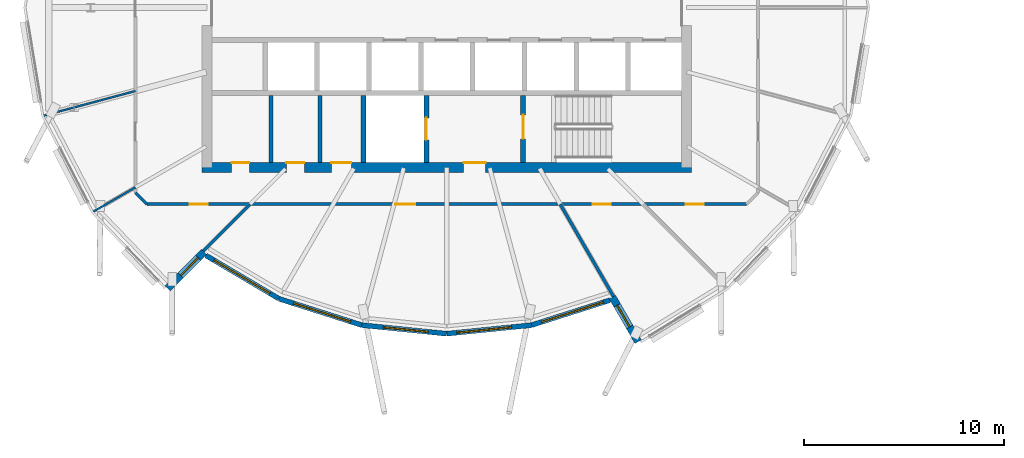
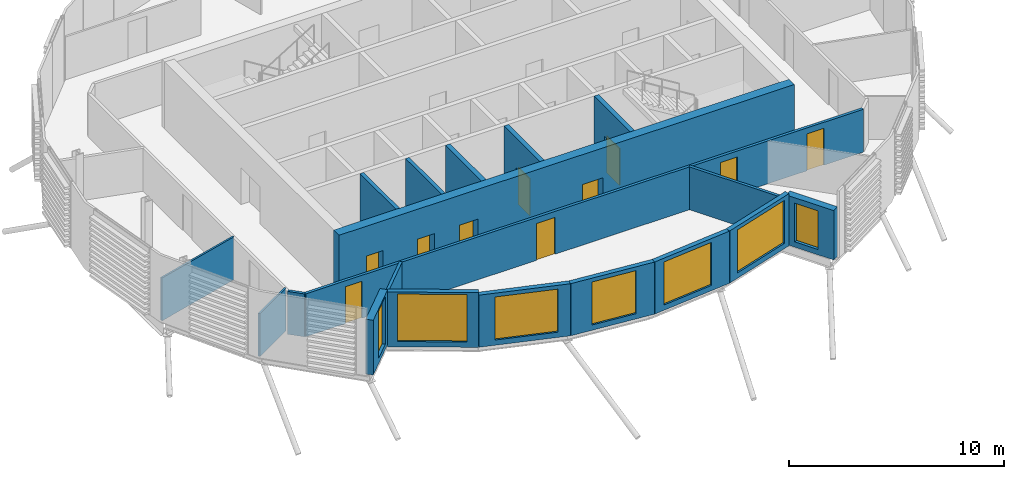
# One storey, part 17 of 38: 19 walls, 10 doors, 7 windows, 17 openings.
"""IFC4 building model written with IfcOpenShell, lengths in metres."""

from ifc_helpers import new_model, si_unit, direction, frame, frame_2d, origin, place, context, subcontext, project, spatial, rectangle, extrude, material, layer, layer_set, type_object, element, fill, save


model = new_model("IFC4")

# Units and contexts
model_context = context("Model", 3, precision=1e-05, world=origin(), true_north=direction((0.0, 1.0)))
body_context = subcontext(model_context, "Body", "Model", "MODEL_VIEW")
ifc_project = project(units=[si_unit("LENGTHUNIT", "METRE"), si_unit("AREAUNIT", "SQUARE_METRE"), si_unit("VOLUMEUNIT", "CUBIC_METRE"), si_unit("PLANEANGLEUNIT", "RADIAN"), si_unit("MASSUNIT", "GRAM", prefix="KILO")], contexts=[model_context])

# Site, building, storey
site_placement = place(None, origin())
site = spatial("IfcSite", under=ifc_project, at=site_placement, CompositionType="ELEMENT")
building_placement = place(site_placement, origin())
building = spatial("IfcBuilding", under=site, at=building_placement, Name="Rimbun Link Towers", CompositionType="ELEMENT")
storey_placement = place(building_placement, frame((0.0, 0.0, 218.10009765625)))
storey = spatial("IfcBuildingStorey", under=building, at=storey_placement, Name="L53", CompositionType="ELEMENT", Elevation=218.10009765625)

# Wall, opening, window
ifc_material_1 = material(Name="Dark enamelled glass spandrel on insulated aluminium backpan", Category="aluminium")
ifc_layer_1 = layer(ifc_material_1, 0.25)
ifc_layer_set_1 = layer_set([ifc_layer_1], Name="CS dark enamelled spandrel wall 250")
wall_type_1 = type_object("IfcWallType", Name="CS dark enamelled spandrel wall 250", PredefinedType="STANDARD", material=ifc_layer_set_1)
wall_1_placement = place(storey_placement, frame((-40.151123046875, -14.576904296875, 0.0), z_axis=(0.0, 0.0, 1.0), x_axis=(-0.860318595316, 0.509756720951, 0.0)))
wall_1 = element("IfcWall", 1, at=wall_1_placement, inside=storey, type_object=wall_type_1, Name="Crease spandrel wall", PredefinedType="STANDARD", context=body_context, shape_type="SweptSolid", body=[
    extrude(rectangle(XDim=4.24951171875, YDim=0.25, at=frame_2d((2.124755859375, 0.0))), origin(), (0.0, 0.0, 1.0), 3.116943359375),
])
opening_1_placement = place(wall_1_placement, frame((0.528564453125, 0.0, 0.300048828125)))
opening_1 = element("IfcOpeningElement", 2, at=opening_1_placement, cuts=wall_1, Name="Opening WR32H270", PredefinedType="OPENING", context=body_context, shape_type="SweptSolid", body=[
    extrude(rectangle(XDim=3.25, YDim=2.699951171875, at=frame_2d((1.625, 1.35009765625))), frame((0.0, 0.135009765625, 0.0), z_axis=(0.0, -1.0, 0.0), x_axis=(1.0, 0.0, 0.0)), (0.0, 0.0, 1.0), 0.27001953125),
])
ifc_material_2 = material(Name="Aluminium framed fixed window, dark tinted low-e glass", Category="aluminium")
window_type_1 = type_object("IfcWindowType", Name="WR ribbon window 3250X2700", PartitioningType="SINGLE_PANEL", PredefinedType="WINDOW", material=ifc_material_2)
window_1_placement = place(opening_1_placement, origin())
window_1 = element("IfcWindow", 3, at=window_1_placement, inside=storey, type_object=window_type_1, Name="Crease ribbon window", OverallHeight=2.699951171875, OverallWidth=3.25, PartitioningType="SINGLE_PANEL", PredefinedType="WINDOW", context=body_context, shape_type="SweptSolid", body=[
    extrude(rectangle(XDim=3.25, YDim=2.699951171875, at=frame_2d((1.625, 1.35009765625))), frame((0.0, 0.030029296875, 0.0), z_axis=(0.0, -1.0, 0.0), x_axis=(1.0, 0.0, 0.0)), (0.0, 0.0, 1.0), 0.06005859375),
])
fill(opening_1, window_1)

wall_2_placement = place(storey_placement, frame((-36.002685546875, -15.8994140625, 0.0), z_axis=(0.0, 0.0, 1.0), x_axis=(-0.952756261538, 0.303735915063, 0.0)))
wall_2 = element("IfcWall", 4, at=wall_2_placement, inside=storey, type_object=wall_type_1, Name="Crease spandrel wall", PredefinedType="STANDARD", context=body_context, shape_type="SweptSolid", body=[
    extrude(rectangle(XDim=4.354248046875, YDim=0.25, at=frame_2d((2.17724609375, 0.0))), origin(), (0.0, 0.0, 1.0), 2.966552734375),
])
opening_2_placement = place(wall_2_placement, frame((0.591064453125, 0.0, 0.300048828125)))
opening_2 = element("IfcOpeningElement", 5, at=opening_2_placement, cuts=wall_2, Name="Opening WR30H245", PredefinedType="OPENING", context=body_context, shape_type="SweptSolid", body=[
    extrude(rectangle(XDim=3.0, YDim=2.449951171875, at=frame_2d((1.5, 1.22509765625))), frame((0.0, 0.135009765625, 0.0), z_axis=(0.0, -1.0, 0.0), x_axis=(1.0, 0.0, 0.0)), (0.0, 0.0, 1.0), 0.27001953125),
])
ifc_material_3 = material(Name="Aluminium framed fixed window, dark tinted low-e glass", Category="aluminium")
window_type_2 = type_object("IfcWindowType", Name="WR ribbon window 3000X2450", PartitioningType="SINGLE_PANEL", PredefinedType="WINDOW", material=ifc_material_3)
window_2_placement = place(opening_2_placement, origin())
window_2 = element("IfcWindow", 6, at=window_2_placement, inside=storey, type_object=window_type_2, Name="Crease ribbon window", OverallHeight=2.449951171875, OverallWidth=3.0, PartitioningType="SINGLE_PANEL", PredefinedType="WINDOW", context=body_context, shape_type="SweptSolid", body=[
    extrude(rectangle(XDim=3.0, YDim=2.449951171875, at=frame_2d((1.5, 1.22509765625))), frame((0.0, 0.030029296875, 0.0), z_axis=(0.0, -1.0, 0.0), x_axis=(1.0, 0.0, 0.0)), (0.0, 0.0, 1.0), 0.06005859375),
])
fill(opening_2, window_2)

wall_3_placement = place(storey_placement, frame((-31.75, -16.329345703125, 0.0), z_axis=(0.0, 0.0, 1.0), x_axis=(-0.994928589789, 0.100583801976, 0.0)))
wall_3 = element("IfcWall", 7, at=wall_3_placement, inside=storey, type_object=wall_type_1, Name="Crease spandrel wall", PredefinedType="STANDARD", context=body_context, shape_type="SweptSolid", body=[
    extrude(rectangle(XDim=4.2744140625, YDim=0.25, at=frame_2d((2.13720703125, 0.0))), origin(), (0.0, 0.0, 1.0), 2.966552734375),
])
opening_3_placement = place(wall_3_placement, frame((0.939697265625, 0.0, 0.300048828125)))
opening_3 = element("IfcOpeningElement", 8, at=opening_3_placement, cuts=wall_3, Name="Opening WR22H245", PredefinedType="OPENING", context=body_context, shape_type="SweptSolid", body=[
    extrude(rectangle(XDim=2.25, YDim=2.449951171875, at=frame_2d((1.125, 1.22509765625))), frame((0.0, 0.135009765625, 0.0), z_axis=(0.0, -1.0, 0.0), x_axis=(1.0, 0.0, 0.0)), (0.0, 0.0, 1.0), 0.27001953125),
])
ifc_material_4 = material(Name="Aluminium framed fixed window, dark tinted low-e glass", Category="aluminium")
window_type_3 = type_object("IfcWindowType", Name="WR ribbon window 2250X2450", PartitioningType="SINGLE_PANEL", PredefinedType="WINDOW", material=ifc_material_4)
window_3_placement = place(opening_3_placement, origin())
window_3 = element("IfcWindow", 9, at=window_3_placement, inside=storey, type_object=window_type_3, Name="Crease ribbon window", OverallHeight=2.449951171875, OverallWidth=2.25, PartitioningType="SINGLE_PANEL", PredefinedType="WINDOW", context=body_context, shape_type="SweptSolid", body=[
    extrude(rectangle(XDim=2.25, YDim=2.449951171875, at=frame_2d((1.125, 1.22509765625))), frame((0.0, 0.030029296875, 0.0), z_axis=(0.0, -1.0, 0.0), x_axis=(1.0, 0.0, 0.0)), (0.0, 0.0, 1.0), 0.06005859375),
])
fill(opening_3, window_3)

wall_4_placement = place(storey_placement, frame((-27.497314453125, -15.8994140625, 0.0), z_axis=(0.0, 0.0, 1.0), x_axis=(-0.994928589789, -0.100583801976, 0.0)))
wall_4 = element("IfcWall", 10, at=wall_4_placement, inside=storey, type_object=wall_type_1, Name="Crease spandrel wall", PredefinedType="STANDARD", context=body_context, shape_type="SweptSolid", body=[
    extrude(rectangle(XDim=4.2744140625, YDim=0.25, at=frame_2d((2.13720703125, 0.0))), origin(), (0.0, 0.0, 1.0), 2.966552734375),
])
opening_4_placement = place(wall_4_placement, frame((1.013916015625, 0.0, 0.300048828125)))
opening_4 = element("IfcOpeningElement", 11, at=opening_4_placement, cuts=wall_4, Name="Opening WR28H245", PredefinedType="OPENING", context=body_context, shape_type="SweptSolid", body=[
    extrude(rectangle(XDim=2.75, YDim=2.449951171875, at=frame_2d((1.375, 1.22509765625))), frame((0.0, 0.135009765625, 0.0), z_axis=(0.0, -1.0, 0.0), x_axis=(1.0, 0.0, 0.0)), (0.0, 0.0, 1.0), 0.27001953125),
])
ifc_material_5 = material(Name="Aluminium framed fixed window, dark tinted low-e glass", Category="aluminium")
window_type_4 = type_object("IfcWindowType", Name="WR ribbon window 2750X2450", PartitioningType="SINGLE_PANEL", PredefinedType="WINDOW", material=ifc_material_5)
window_4_placement = place(opening_4_placement, origin())
window_4 = element("IfcWindow", 12, at=window_4_placement, inside=storey, type_object=window_type_4, Name="Crease ribbon window", OverallHeight=2.449951171875, OverallWidth=2.75, PartitioningType="SINGLE_PANEL", PredefinedType="WINDOW", context=body_context, shape_type="SweptSolid", body=[
    extrude(rectangle(XDim=2.75, YDim=2.449951171875, at=frame_2d((1.375, 1.22509765625))), frame((0.0, 0.030029296875, 0.0), z_axis=(0.0, -1.0, 0.0), x_axis=(1.0, 0.0, 0.0)), (0.0, 0.0, 1.0), 0.06005859375),
])
fill(opening_4, window_4)

wall_5_placement = place(storey_placement, frame((-23.580078125, -14.650634765625, 0.0), z_axis=(0.0, 0.0, 1.0), x_axis=(-0.95275796555, -0.303730569884, 0.0)))
wall_5 = element("IfcWall", 13, at=wall_5_placement, inside=storey, type_object=wall_type_1, Name="Crease spandrel wall", PredefinedType="STANDARD", context=body_context, shape_type="SweptSolid", body=[
    extrude(rectangle(XDim=4.111572265625, YDim=0.25, at=frame_2d((2.0556640625, 0.0))), origin(), (0.0, 0.0, 1.0), 2.966552734375),
])
opening_5_placement = place(wall_5_placement, frame((0.33154296875, 0.0, 0.300048828125)))
opening_5 = element("IfcOpeningElement", 14, at=opening_5_placement, cuts=wall_5, Name="Opening WR32H245", PredefinedType="OPENING", context=body_context, shape_type="SweptSolid", body=[
    extrude(rectangle(XDim=3.25, YDim=2.449951171875, at=frame_2d((1.625, 1.22509765625))), frame((0.0, 0.135009765625, 0.0), z_axis=(0.0, -1.0, 0.0), x_axis=(1.0, 0.0, 0.0)), (0.0, 0.0, 1.0), 0.27001953125),
])
ifc_material_6 = material(Name="Aluminium framed fixed window, dark tinted low-e glass", Category="aluminium")
window_type_5 = type_object("IfcWindowType", Name="WR ribbon window 3250X2450", PartitioningType="SINGLE_PANEL", PredefinedType="WINDOW", material=ifc_material_6)
window_5_placement = place(opening_5_placement, origin())
window_5 = element("IfcWindow", 15, at=window_5_placement, inside=storey, type_object=window_type_5, Name="Crease ribbon window", OverallHeight=2.449951171875, OverallWidth=3.25, PartitioningType="SINGLE_PANEL", PredefinedType="WINDOW", context=body_context, shape_type="SweptSolid", body=[
    extrude(rectangle(XDim=3.25, YDim=2.449951171875, at=frame_2d((1.625, 1.22509765625))), frame((0.0, 0.030029296875, 0.0), z_axis=(0.0, -1.0, 0.0), x_axis=(1.0, 0.0, 0.0)), (0.0, 0.0, 1.0), 0.06005859375),
])
fill(opening_5, window_5)

ifc_material_7 = material(Name="Dark enamelled glass spandrel on insulated aluminium backpan", Category="aluminium")
ifc_layer_2 = layer(ifc_material_7, 0.3701171875)
ifc_layer_set_2 = layer_set([ifc_layer_2], Name="CS dark enamelled spandrel wall 370")
wall_type_2 = type_object("IfcWallType", Name="CS dark enamelled spandrel wall 370", PredefinedType="STANDARD", material=ifc_layer_set_2)
wall_6_placement = place(storey_placement, frame((-43.891845703125, -12.23388671875, 0.0), z_axis=(0.0, 0.0, 1.0), x_axis=(-0.70715409354, -0.707059465667, 0.0)))
wall_6 = element("IfcWall", 16, at=wall_6_placement, inside=storey, type_object=wall_type_2, Name="Crease spandrel wall", PredefinedType="STANDARD", context=body_context, shape_type="SweptSolid", body=[
    extrude(rectangle(XDim=2.580078125, YDim=0.3701171875, at=frame_2d((1.2900390625, 0.0))), origin(), (0.0, 0.0, 1.0), 3.116943359375),
])
opening_6_placement = place(wall_6_placement, frame((0.422607421875, 0.0, 0.300048828125)))
opening_6 = element("IfcOpeningElement", 17, at=opening_6_placement, cuts=wall_6, Name="Opening WR12H270", PredefinedType="OPENING", context=body_context, shape_type="SweptSolid", body=[
    extrude(rectangle(XDim=1.25, YDim=2.699951171875, at=frame_2d((0.625, 1.35009765625))), frame((0.0, 0.195068359375, 0.0), z_axis=(0.0, -1.0, 0.0), x_axis=(1.0, 0.0, 0.0)), (0.0, 0.0, 1.0), 0.39013671875),
])
ifc_material_8 = material(Name="Aluminium framed fixed window, dark tinted low-e glass", Category="aluminium")
window_type_6 = type_object("IfcWindowType", Name="WR ribbon window 1250X2700", PartitioningType="SINGLE_PANEL", PredefinedType="WINDOW", material=ifc_material_8)
window_6_placement = place(opening_6_placement, origin())
window_6 = element("IfcWindow", 18, at=window_6_placement, inside=storey, type_object=window_type_6, Name="Crease ribbon window", OverallHeight=2.699951171875, OverallWidth=1.25, PartitioningType="SINGLE_PANEL", PredefinedType="WINDOW", context=body_context, shape_type="SweptSolid", body=[
    extrude(rectangle(XDim=1.25, YDim=2.699951171875, at=frame_2d((0.625, 1.35009765625))), frame((0.0, 0.030029296875, 0.0), z_axis=(0.0, -1.0, 0.0), x_axis=(1.0, 0.0, 0.0)), (0.0, 0.0, 1.0), 0.06005859375),
])
fill(opening_6, window_6)

wall_7_placement = place(storey_placement, frame((-22.16650390625, -16.728759765625, 0.0), z_axis=(0.0, 0.0, 1.0), x_axis=(-0.500047388771, 0.865998042136, 0.0)))
wall_7 = element("IfcWall", 19, at=wall_7_placement, inside=storey, type_object=wall_type_2, Name="Crease spandrel wall", PredefinedType="STANDARD", context=body_context, shape_type="SweptSolid", body=[
    extrude(rectangle(XDim=2.579833984375, YDim=0.3701171875, at=frame_2d((1.2900390625, 0.0))), origin(), (0.0, 0.0, 1.0), 2.80908203125),
])
opening_7_placement = place(wall_7_placement, frame((0.853271484375, 0.0, 0.300048828125)))
opening_7 = element("IfcOpeningElement", 20, at=opening_7_placement, cuts=wall_7, Name="Opening WR12H220", PredefinedType="OPENING", context=body_context, shape_type="SweptSolid", body=[
    extrude(rectangle(XDim=1.25, YDim=2.199951171875, at=frame_2d((0.625, 1.10009765625))), frame((0.0, 0.195068359375, 0.0), z_axis=(0.0, -1.0, 0.0), x_axis=(1.0, 0.0, 0.0)), (0.0, 0.0, 1.0), 0.39013671875),
])
ifc_material_9 = material(Name="Aluminium framed fixed window, dark tinted low-e glass", Category="aluminium")
window_type_7 = type_object("IfcWindowType", Name="WR ribbon window 1250X2200", PartitioningType="SINGLE_PANEL", PredefinedType="WINDOW", material=ifc_material_9)
window_7_placement = place(opening_7_placement, origin())
window_7 = element("IfcWindow", 21, at=window_7_placement, inside=storey, type_object=window_type_7, Name="Crease ribbon window", OverallHeight=2.199951171875, OverallWidth=1.25, PartitioningType="SINGLE_PANEL", PredefinedType="WINDOW", context=body_context, shape_type="SweptSolid", body=[
    extrude(rectangle(XDim=1.25, YDim=2.199951171875, at=frame_2d((0.625, 1.10009765625))), frame((0.0, 0.030029296875, 0.0), z_axis=(0.0, -1.0, 0.0), x_axis=(1.0, 0.0, 0.0)), (0.0, 0.0, 1.0), 0.06005859375),
])
fill(opening_7, window_7)

# Walls
ifc_material_10 = material(Name="Masonry blockwork", Category="masonry")
ifc_layer_3 = layer(ifc_material_10, 0.199951171875)
ifc_layer_set_3 = layer_set([ifc_layer_3], Name="Core partition 200")
wall_type_3 = type_object("IfcWallType", Name="Core partition 200", PredefinedType="PARTITIONING", material=ifc_layer_set_3)
for number, where, z_axis, x_axis, name in (
    (22, (-40.550048828125, -4.39990234375, 0.0), (0.0, 0.0, 1.0), (0.0, -1.0, 0.0), "L53 T1 core wall C1"),
    (23, (-38.10009765625, -4.39990234375, 0.0), (0.0, 0.0, 1.0), (0.0, -1.0, 0.0), "L53 T1 core wall C2"),
):
    element("IfcWall", number, at=place(storey_placement, frame(where, z_axis=z_axis, x_axis=x_axis)), inside=storey, type_object=wall_type_3, Name=name, PredefinedType="PARTITIONING", context=body_context, shape_type="SweptSolid", body=[
        extrude(rectangle(XDim=3.35009765625, YDim=0.199951171875, at=frame_2d((1.675048828125, 0.0))), origin(), (0.0, 0.0, 1.0), 3.7998046875),
    ])

# Wall, openings, doors
ifc_material_11 = material(Name="Concrete C60/75", Category="concrete")
ifc_layer_4 = layer(ifc_material_11, 0.5)
ifc_layer_set_4 = layer_set([ifc_layer_4], Name="Core shear wall 500")
wall_type_4 = type_object("IfcWallType", Name="Core shear wall 500", PredefinedType="SHEAR", material=ifc_layer_set_4)
wall_8_placement = place(storey_placement, frame((-44.0, -8.0, 0.0), z_axis=(0.0, 0.0, 1.0), x_axis=(1.0, 0.0, 0.0)))
wall_8 = element("IfcWall", 24, at=wall_8_placement, inside=storey, type_object=wall_type_4, Name="L53 T1 core wall S", PredefinedType="SHEAR", context=body_context, shape_type="SweptSolid", body=[
    extrude(rectangle(XDim=24.5, YDim=0.5, at=frame_2d((12.25, 0.0))), origin(), (0.0, 0.0, 1.0), 3.7998046875),
])
opening_8_placement = place(wall_8_placement, frame((13.10009765625, 0.0, 0.0)))
opening_8 = element("IfcOpeningElement", 25, at=opening_8_placement, cuts=wall_8, Name="Opening C1DCF01S", PredefinedType="OPENING", context=body_context, shape_type="SweptSolid", body=[
    extrude(rectangle(XDim=1.10009765625, YDim=2.10009765625, at=frame_2d((0.550048828125, 1.050048828125))), frame((0.0, 0.260009765625, 0.0), z_axis=(0.0, -1.0, 0.0), x_axis=(1.0, 0.0, 0.0)), (0.0, 0.0, 1.0), 0.52001953125),
])
opening_9_placement = place(wall_8_placement, frame((1.47509765625, 0.0, 0.0)))
opening_9 = element("IfcOpeningElement", 26, at=opening_9_placement, cuts=wall_8, Name="Opening C1DWC02S", PredefinedType="OPENING", context=body_context, shape_type="SweptSolid", body=[
    extrude(rectangle(XDim=0.89990234375, YDim=2.10009765625, at=frame_2d((0.449951171875, 1.050048828125))), frame((0.0, 0.260009765625, 0.0), z_axis=(0.0, -1.0, 0.0), x_axis=(1.0, 0.0, 0.0)), (0.0, 0.0, 1.0), 0.52001953125),
])
opening_10_placement = place(wall_8_placement, frame((4.22509765625, 0.0, 0.0)))
opening_10 = element("IfcOpeningElement", 27, at=opening_10_placement, cuts=wall_8, Name="Opening C1DWC03S", PredefinedType="OPENING", context=body_context, shape_type="SweptSolid", body=[
    extrude(rectangle(XDim=0.89990234375, YDim=2.10009765625, at=frame_2d((0.449951171875, 1.050048828125))), frame((0.0, 0.260009765625, 0.0), z_axis=(0.0, -1.0, 0.0), x_axis=(1.0, 0.0, 0.0)), (0.0, 0.0, 1.0), 0.52001953125),
])
opening_11_placement = place(wall_8_placement, frame((6.47509765625, 0.0, 0.0)))
opening_11 = element("IfcOpeningElement", 28, at=opening_11_placement, cuts=wall_8, Name="Opening C1DAW04S", PredefinedType="OPENING", context=body_context, shape_type="SweptSolid", body=[
    extrude(rectangle(XDim=1.0, YDim=2.10009765625, at=frame_2d((0.5, 1.050048828125))), frame((0.0, 0.260009765625, 0.0), z_axis=(0.0, -1.0, 0.0), x_axis=(1.0, 0.0, 0.0)), (0.0, 0.0, 1.0), 0.52001953125),
])
ifc_material_12 = material(Name="Timber", Category="wood")
door_type_1 = type_object("IfcDoorType", Name="Accessible WC door", OperationType="SINGLE_SWING_LEFT", PredefinedType="DOOR", material=ifc_material_12)
door_1_placement = place(opening_11_placement, origin())
door_1 = element("IfcDoor", 29, at=door_1_placement, inside=storey, type_object=door_type_1, Name="L53 T1 accessible wc door", OperationType="SINGLE_SWING_RIGHT", OverallHeight=2.10009765625, OverallWidth=1.0, PredefinedType="DOOR", context=body_context, shape_type="SweptSolid", body=[
    extrude(rectangle(XDim=1.0, YDim=2.10009765625, at=frame_2d((0.5, 1.050048828125))), frame((0.0, 0.25, 0.0), z_axis=(0.0, -1.0, 0.0), x_axis=(1.0, 0.0, 0.0)), (0.0, 0.0, 1.0), 0.050048828125),
])
fill(opening_11, door_1)
ifc_material_13 = material(Name="Steel fire door set", Category="steel")
door_type_2 = type_object("IfcDoorType", Name="Core fire door single", OperationType="SINGLE_SWING_LEFT", PredefinedType="DOOR", material=ifc_material_13)
door_2_placement = place(opening_8_placement, origin())
door_2 = element("IfcDoor", 30, at=door_2_placement, inside=storey, type_object=door_type_2, Name="L53 T1 firefighting lobby s door", OperationType="SINGLE_SWING_RIGHT", OverallHeight=2.10009765625, OverallWidth=1.10009765625, PredefinedType="DOOR", context=body_context, shape_type="SweptSolid", body=[
    extrude(rectangle(XDim=1.10009765625, YDim=2.10009765625, at=frame_2d((0.550048828125, 1.050048828125))), frame((0.0, 0.25, 0.0), z_axis=(0.0, -1.0, 0.0), x_axis=(1.0, 0.0, 0.0)), (0.0, 0.0, 1.0), 0.050048828125),
])
fill(opening_8, door_2)
ifc_material_14 = material(Name="Timber", Category="wood")
door_type_3 = type_object("IfcDoorType", Name="WC door", OperationType="SINGLE_SWING_LEFT", PredefinedType="DOOR", material=ifc_material_14)
door_3_placement = place(opening_9_placement, origin())
door_3 = element("IfcDoor", 31, at=door_3_placement, inside=storey, type_object=door_type_3, Name="L53 T1 male wc door", OperationType="SINGLE_SWING_RIGHT", OverallHeight=2.10009765625, OverallWidth=0.89990234375, PredefinedType="DOOR", context=body_context, shape_type="SweptSolid", body=[
    extrude(rectangle(XDim=0.89990234375, YDim=2.10009765625, at=frame_2d((0.449951171875, 1.050048828125))), frame((0.0, 0.25, 0.0), z_axis=(0.0, -1.0, 0.0), x_axis=(1.0, 0.0, 0.0)), (0.0, 0.0, 1.0), 0.050048828125),
])
fill(opening_9, door_3)
door_4_placement = place(opening_10_placement, origin())
door_4 = element("IfcDoor", 32, at=door_4_placement, inside=storey, type_object=door_type_3, Name="L53 T1 female wc door", OperationType="SINGLE_SWING_LEFT", OverallHeight=2.10009765625, OverallWidth=0.89990234375, PredefinedType="DOOR", context=body_context, shape_type="SweptSolid", body=[
    extrude(rectangle(XDim=0.89990234375, YDim=2.10009765625, at=frame_2d((0.449951171875, 1.050048828125))), frame((0.0, 0.25, 0.0), z_axis=(0.0, -1.0, 0.0), x_axis=(1.0, 0.0, 0.0)), (0.0, 0.0, 1.0), 0.050048828125),
])
fill(opening_10, door_4)

ifc_material_15 = material(Name="Plasterboard on steel stud, mineral wool", Category="steel")
ifc_layer_5 = layer(ifc_material_15, 0.14990234375)
ifc_layer_set_5 = layer_set([ifc_layer_5], Name="Corridor wall EI 30 150 mm")
wall_type_5 = type_object("IfcWallType", Name="Corridor wall EI 30 150 mm", PredefinedType="PARTITIONING", material=ifc_layer_set_5)
wall_9_placement = place(storey_placement, frame((-16.746337890625, -9.844970703125, 0.0), z_axis=(0.0, 0.0, 1.0), x_axis=(-1.0, 0.0, 0.0)))
wall_9 = element("IfcWall", 33, at=wall_9_placement, inside=storey, type_object=wall_type_5, Name="Corridor wall EI 30 150 mm", PredefinedType="PARTITIONING", context=body_context, shape_type="SweptSolid", body=[
    extrude(rectangle(XDim=30.00732421875, YDim=0.14990234375, at=frame_2d((15.003662109375, 0.0))), origin(), (0.0, 0.0, 1.0), 2.43994140625),
])
opening_12_placement = place(wall_9_placement, frame((6.789306640625, 0.0, 0.0)))
opening_12 = element("IfcOpeningElement", 34, at=opening_12_placement, cuts=wall_9, Name="Opening D02", PredefinedType="OPENING", context=body_context, shape_type="SweptSolid", body=[
    extrude(rectangle(XDim=0.89990234375, YDim=2.10009765625, at=frame_2d((0.449951171875, 1.050048828125))), frame((0.0, 0.0849609375, 0.0), z_axis=(0.0, -1.0, 0.0), x_axis=(1.0, 0.0, 0.0)), (0.0, 0.0, 1.0), 0.169921875),
])
opening_13_placement = place(wall_9_placement, frame((2.12939453125, 0.0, 0.0)))
opening_13 = element("IfcOpeningElement", 35, at=opening_13_placement, cuts=wall_9, Name="Opening D02", PredefinedType="OPENING", context=body_context, shape_type="SweptSolid", body=[
    extrude(rectangle(XDim=0.89990234375, YDim=2.10009765625, at=frame_2d((0.449951171875, 1.050048828125))), frame((0.0, 0.0849609375, 0.0), z_axis=(0.0, -1.0, 0.0), x_axis=(1.0, 0.0, 0.0)), (0.0, 0.0, 1.0), 0.169921875),
])
opening_14_placement = place(wall_9_placement, frame((26.97802734375, 0.0, 0.0)))
opening_14 = element("IfcOpeningElement", 36, at=opening_14_placement, cuts=wall_9, Name="Opening D02", PredefinedType="OPENING", context=body_context, shape_type="SweptSolid", body=[
    extrude(rectangle(XDim=0.89990234375, YDim=2.10009765625, at=frame_2d((0.449951171875, 1.050048828125))), frame((0.0, 0.0849609375, 0.0), z_axis=(0.0, -1.0, 0.0), x_axis=(1.0, 0.0, 0.0)), (0.0, 0.0, 1.0), 0.169921875),
])
opening_15_placement = place(wall_9_placement, frame((16.584228515625, 0.0, 0.0)))
opening_15 = element("IfcOpeningElement", 37, at=opening_15_placement, cuts=wall_9, Name="Opening D01", PredefinedType="OPENING", context=body_context, shape_type="SweptSolid", body=[
    extrude(rectangle(XDim=1.0, YDim=2.10009765625, at=frame_2d((0.5, 1.050048828125))), frame((0.0, 0.0849609375, 0.0), z_axis=(0.0, -1.0, 0.0), x_axis=(1.0, 0.0, 0.0)), (0.0, 0.0, 1.0), 0.169921875),
])
ifc_material_16 = material(Name="Fire-resisting timber door leaf", Category="wood")
door_type_4 = type_object("IfcDoorType", Name="Fire door FD30S 1000", OperationType="NOTDEFINED", PredefinedType="DOOR", material=ifc_material_16)
door_5_placement = place(opening_15_placement, origin())
door_5 = element("IfcDoor", 38, at=door_5_placement, inside=storey, type_object=door_type_4, Name="Fire door FD30S 1000 to Terrace office", OperationType="SINGLE_SWING_RIGHT", OverallHeight=2.10009765625, OverallWidth=1.0, PredefinedType="DOOR", context=body_context, shape_type="SweptSolid", body=[
    extrude(rectangle(XDim=1.0, YDim=2.10009765625, at=frame_2d((0.5, 1.050048828125))), frame((0.0, 0.02490234375, 0.0), z_axis=(0.0, -1.0, 0.0), x_axis=(1.0, 0.0, 0.0)), (0.0, 0.0, 1.0), 0.050048828125),
])
fill(opening_15, door_5)
ifc_material_17 = material(Name="Fire-resisting timber door leaf", Category="wood")
door_type_5 = type_object("IfcDoorType", Name="Fire door FD30S 900", OperationType="NOTDEFINED", PredefinedType="DOOR", material=ifc_material_17)
door_6_placement = place(opening_12_placement, origin())
door_6 = element("IfcDoor", 39, at=door_6_placement, inside=storey, type_object=door_type_5, Name="Fire door FD30S 900 to Meeting room", OperationType="SINGLE_SWING_LEFT", OverallHeight=2.10009765625, OverallWidth=0.89990234375, PredefinedType="DOOR", context=body_context, shape_type="SweptSolid", body=[
    extrude(rectangle(XDim=0.89990234375, YDim=2.10009765625, at=frame_2d((0.449951171875, 1.050048828125))), frame((0.0, 0.02490234375, 0.0), z_axis=(0.0, -1.0, 0.0), x_axis=(1.0, 0.0, 0.0)), (0.0, 0.0, 1.0), 0.050048828125),
])
fill(opening_12, door_6)
door_7_placement = place(opening_13_placement, origin())
door_7 = element("IfcDoor", 40, at=door_7_placement, inside=storey, type_object=door_type_5, Name="Fire door FD30S 900 to Executive office", OperationType="SINGLE_SWING_RIGHT", OverallHeight=2.10009765625, OverallWidth=0.89990234375, PredefinedType="DOOR", context=body_context, shape_type="SweptSolid", body=[
    extrude(rectangle(XDim=0.89990234375, YDim=2.10009765625, at=frame_2d((0.449951171875, 1.050048828125))), frame((0.0, 0.02490234375, 0.0), z_axis=(0.0, -1.0, 0.0), x_axis=(1.0, 0.0, 0.0)), (0.0, 0.0, 1.0), 0.050048828125),
])
fill(opening_13, door_7)
door_8_placement = place(opening_14_placement, origin())
door_8 = element("IfcDoor", 41, at=door_8_placement, inside=storey, type_object=door_type_5, Name="Fire door FD30S 900 to Meeting room", OperationType="SINGLE_SWING_LEFT", OverallHeight=2.10009765625, OverallWidth=0.89990234375, PredefinedType="DOOR", context=body_context, shape_type="SweptSolid", body=[
    extrude(rectangle(XDim=0.89990234375, YDim=2.10009765625, at=frame_2d((0.449951171875, 1.050048828125))), frame((0.0, 0.02490234375, 0.0), z_axis=(0.0, -1.0, 0.0), x_axis=(1.0, 0.0, 0.0)), (0.0, 0.0, 1.0), 0.050048828125),
])
fill(opening_14, door_8)

# Walls
wall_10_placement = place(storey_placement, frame((-47.3349609375, -9.263671875, 0.0), z_axis=(0.0, 0.0, 1.0), x_axis=(0.707106781187, -0.707106781187, 0.0)))
element("IfcWall", 42, at=wall_10_placement, inside=storey, type_object=wall_type_5, Name="Corridor wall EI 30 150 mm", PredefinedType="PARTITIONING", context=body_context, shape_type="SweptSolid", body=[
    extrude(rectangle(XDim=0.822021484375, YDim=0.14990234375, at=frame_2d((0.4111328125, 0.0))), origin(), (0.0, 0.0, 1.0), 2.43994140625),
])
ifc_material_18 = material(Name="Plasterboard on steel stud", Category="steel")
ifc_layer_6 = layer(ifc_material_18, 0.10009765625)
ifc_layer_set_6 = layer_set([ifc_layer_6], Name="Plasterboard partition 100 mm")
wall_type_6 = type_object("IfcWallType", Name="Plasterboard partition 100 mm", PredefinedType="PARTITIONING", material=ifc_layer_set_6)
wall_11_placement = place(storey_placement, frame((-51.92138671875, -5.40478515625, 0.0), z_axis=(0.0, 0.0, 1.0), x_axis=(0.96593474065, 0.258785773964, 0.0)))
element("IfcWall", 43, at=wall_11_placement, inside=storey, type_object=wall_type_6, Name="Plasterboard partition 100 mm", PredefinedType="PARTITIONING", context=body_context, shape_type="SweptSolid", body=[
    extrude(rectangle(XDim=4.748291015625, YDim=0.10009765625, at=frame_2d((2.3740234375, 0.0))), origin(), (0.0, 0.0, 1.0), 2.43994140625),
])
wall_12_placement = place(storey_placement, frame((-49.434814453125, -10.21044921875, 0.0), z_axis=(0.0, 0.0, 1.0), x_axis=(0.866016233231, 0.500015883528, 0.0)))
element("IfcWall", 44, at=wall_12_placement, inside=storey, type_object=wall_type_6, Name="Plasterboard partition 100 mm", PredefinedType="PARTITIONING", context=body_context, shape_type="SweptSolid", body=[
    extrude(rectangle(XDim=2.4248046875, YDim=0.10009765625, at=frame_2d((1.21240234375, 0.0))), origin(), (0.0, 0.0, 1.0), 2.43994140625),
])

# Wall, opening, door
ifc_material_19 = material(Name="Concrete C60/75", Category="concrete")
ifc_layer_7 = layer(ifc_material_19, 0.25)
ifc_layer_set_7 = layer_set([ifc_layer_7], Name="Shaft wall 250")
wall_type_7 = type_object("IfcWallType", Name="Shaft wall 250", PredefinedType="SHEAR", material=ifc_layer_set_7)
wall_13_placement = place(storey_placement, frame((-27.925048828125, -4.39990234375, 0.0), z_axis=(0.0, 0.0, 1.0), x_axis=(0.0, -1.0, 0.0)))
wall_13 = element("IfcWall", 45, at=wall_13_placement, inside=storey, type_object=wall_type_7, Name="L53 T1 core wall B1", PredefinedType="SHEAR", context=body_context, shape_type="SweptSolid", body=[
    extrude(rectangle(XDim=3.35009765625, YDim=0.25, at=frame_2d((1.675048828125, 0.0))), origin(), (0.0, 0.0, 1.0), 3.7998046875),
])
opening_16_placement = place(wall_13_placement, frame((0.97509765625, 0.0, 0.0)))
opening_16 = element("IfcOpeningElement", 46, at=opening_16_placement, cuts=wall_13, Name="Opening C1DST01B1", PredefinedType="OPENING", context=body_context, shape_type="SweptSolid", body=[
    extrude(rectangle(XDim=1.199951171875, YDim=2.10009765625, at=frame_2d((0.60009765625, 1.050048828125))), frame((0.0, 0.135009765625, 0.0), z_axis=(0.0, -1.0, 0.0), x_axis=(1.0, 0.0, 0.0)), (0.0, 0.0, 1.0), 0.27001953125),
])
ifc_material_20 = material(Name="Steel fire door set", Category="steel")
door_type_6 = type_object("IfcDoorType", Name="Stair door", OperationType="SINGLE_SWING_LEFT", PredefinedType="DOOR", material=ifc_material_20)
door_9_placement = place(opening_16_placement, origin())
door_9 = element("IfcDoor", 47, at=door_9_placement, inside=storey, type_object=door_type_6, Name="L53 T1 stair b door", OperationType="SINGLE_SWING_RIGHT", OverallHeight=2.10009765625, OverallWidth=1.199951171875, PredefinedType="DOOR", context=body_context, shape_type="SweptSolid", body=[
    extrude(rectangle(XDim=1.199951171875, YDim=2.10009765625, at=frame_2d((0.60009765625, 1.050048828125))), frame((0.0, 0.02490234375, 0.0), z_axis=(0.0, -1.0, 0.0), x_axis=(1.0, 0.0, 0.0)), (0.0, 0.0, 1.0), 0.050048828125),
])
fill(opening_16, door_9)

wall_14_placement = place(storey_placement, frame((-32.77490234375, -4.39990234375, 0.0), z_axis=(0.0, 0.0, 1.0), x_axis=(0.0, -1.0, 0.0)))
wall_14 = element("IfcWall", 48, at=wall_14_placement, inside=storey, type_object=wall_type_7, Name="L53 T1 core wall B2", PredefinedType="SHEAR", context=body_context, shape_type="SweptSolid", body=[
    extrude(rectangle(XDim=3.35009765625, YDim=0.25, at=frame_2d((1.675048828125, 0.0))), origin(), (0.0, 0.0, 1.0), 3.7998046875),
])
opening_17_placement = place(wall_14_placement, frame((1.125, 0.0, 0.0)))
opening_17 = element("IfcOpeningElement", 49, at=opening_17_placement, cuts=wall_14, Name="Opening LD-T1-FF2", PredefinedType="OPENING", context=body_context, shape_type="SweptSolid", body=[
    extrude(rectangle(XDim=1.10009765625, YDim=2.10009765625, at=frame_2d((0.550048828125, 1.050048828125))), frame((0.0, 0.135009765625, 0.0), z_axis=(0.0, -1.0, 0.0), x_axis=(1.0, 0.0, 0.0)), (0.0, 0.0, 1.0), 0.27001953125),
])
ifc_material_21 = material(Name="Stainless steel grade 316", Category="steel")
door_type_7 = type_object("IfcDoorType", Name="Lift landing door", OperationType="DOUBLE_DOOR_SLIDING", PredefinedType="DOOR", material=ifc_material_21)
door_10_placement = place(opening_17_placement, origin())
door_10 = element("IfcDoor", 50, at=door_10_placement, inside=storey, type_object=door_type_7, Name="L53 T1 lift FF2 landing door", OperationType="DOUBLE_DOOR_SLIDING", OverallHeight=2.10009765625, OverallWidth=1.10009765625, PredefinedType="DOOR", context=body_context, shape_type="SweptSolid", body=[
    extrude(rectangle(XDim=1.10009765625, YDim=2.10009765625, at=frame_2d((0.550048828125, 1.050048828125))), frame((0.0, 0.02490234375, 0.0), z_axis=(0.0, -1.0, 0.0), x_axis=(1.0, 0.0, 0.0)), (0.0, 0.0, 1.0), 0.050048828125),
])
fill(opening_17, door_10)

# Walls
wall_15_placement = place(storey_placement, frame((-35.925048828125, -4.39990234375, 0.0), z_axis=(0.0, 0.0, 1.0), x_axis=(0.0, -1.0, 0.0)))
element("IfcWall", 51, at=wall_15_placement, inside=storey, type_object=wall_type_7, Name="L53 T1 core wall B3", PredefinedType="SHEAR", context=body_context, shape_type="SweptSolid", body=[
    extrude(rectangle(XDim=3.35009765625, YDim=0.25, at=frame_2d((1.675048828125, 0.0))), origin(), (0.0, 0.0, 1.0), 3.7998046875),
])
ifc_material_22 = material(Name="Plasterboard on steel stud, mineral wool", Category="steel")
ifc_layer_8 = layer(ifc_material_22, 0.14990234375)
ifc_layer_set_8 = layer_set([ifc_layer_8], Name="Tenancy separation wall EI 60 150 mm")
wall_type_8 = type_object("IfcWallType", Name="Tenancy separation wall EI 60 150 mm", PredefinedType="PARTITIONING", material=ifc_layer_set_8)
wall_16_placement = place(storey_placement, frame((-41.594970703125, -9.844970703125, 0.0), z_axis=(0.0, 0.0, 1.0), x_axis=(-0.707106781187, -0.707106781187, 0.0)))
element("IfcWall", 52, at=wall_16_placement, inside=storey, type_object=wall_type_8, Name="Tenancy separation wall EI 60 150 mm", PredefinedType="PARTITIONING", context=body_context, shape_type="SweptSolid", body=[
    extrude(rectangle(XDim=3.3134765625, YDim=0.14990234375, at=frame_2d((1.65673828125, 0.0))), origin(), (0.0, 0.0, 1.0), 2.43994140625),
])
wall_17_placement = place(storey_placement, frame((-26.06591796875, -9.844970703125, 0.0), z_axis=(0.0, 0.0, 1.0), x_axis=(0.499970865209, -0.86604222411, 0.0)))
element("IfcWall", 53, at=wall_17_placement, inside=storey, type_object=wall_type_8, Name="Tenancy separation wall EI 60 150 mm", PredefinedType="PARTITIONING", context=body_context, shape_type="SweptSolid", body=[
    extrude(rectangle(XDim=5.331298828125, YDim=0.14990234375, at=frame_2d((2.66552734375, 0.0))), origin(), (0.0, 0.0, 1.0), 2.43994140625),
])

save(model, "model.ifc")
